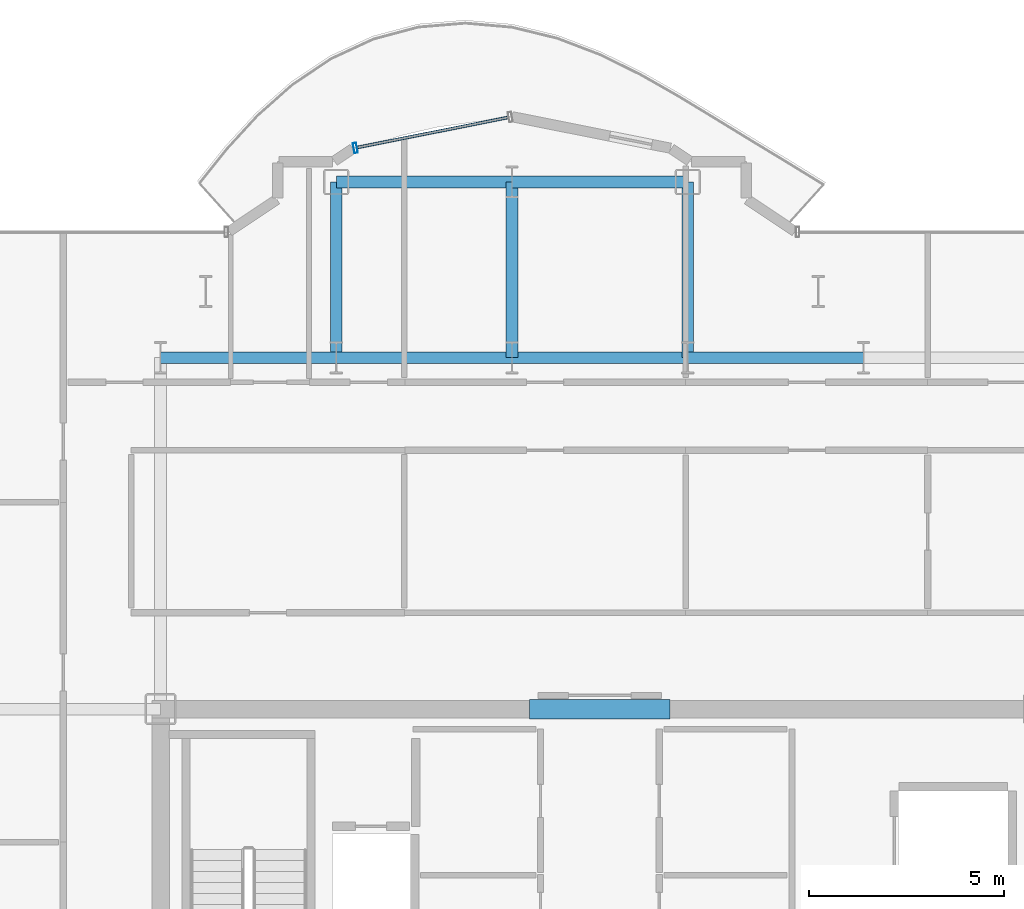
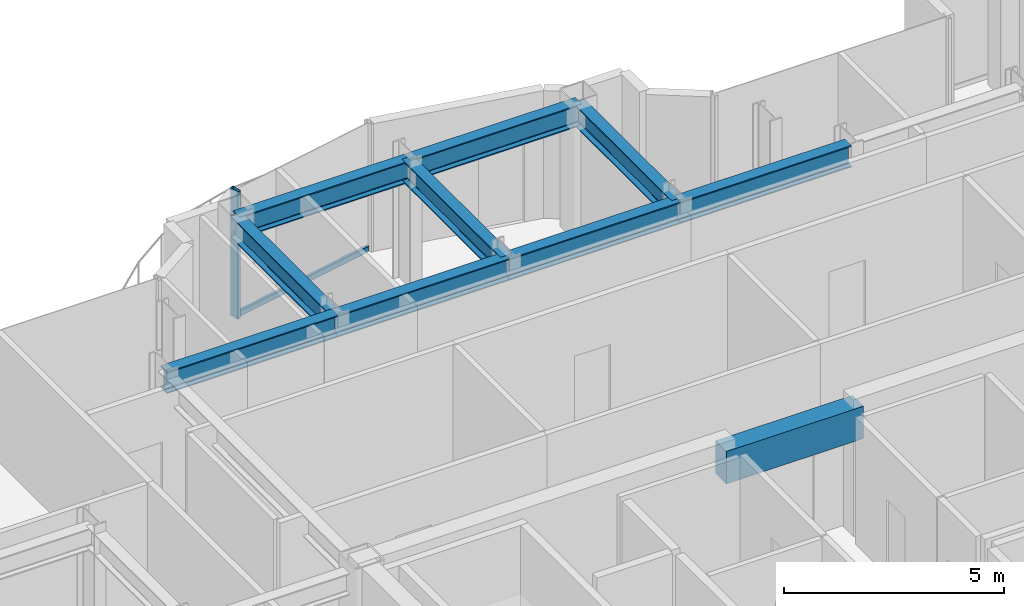
# One storey, part 9 of 21: 10 beams, 2 members, 1 element without a shape of its own.
"""IFC4 building model written with IfcOpenShell, lengths in metres."""

from ifc_helpers import new_model, si_unit, direction, frame, origin, origin_2d, place, context, subcontext, project, spatial, rectangle, hollow_rectangle, i_section, extrude, source, transform, mapped, material, layer, layer_set, material_profile, profile_set, type_object, element, aggregate, save


model = new_model("IFC4")

# Units and contexts
model_context = context("Model", 3, precision=1e-05, world=origin(), true_north=direction((0.0, 1.0)))
body_context = subcontext(model_context, "Body", "Model", "MODEL_VIEW")
ifc_project = project(units=[si_unit("LENGTHUNIT", "METRE"), si_unit("AREAUNIT", "SQUARE_METRE"), si_unit("VOLUMEUNIT", "CUBIC_METRE"), si_unit("PLANEANGLEUNIT", "RADIAN"), si_unit("MASSUNIT", "GRAM", prefix="KILO")], contexts=[model_context])

# Site, building, storey
site_placement = place(None, origin())
site = spatial("IfcSite", under=ifc_project, at=site_placement, CompositionType="ELEMENT")
building_placement = place(site_placement, origin())
building = spatial("IfcBuilding", under=site, at=building_placement, Name="Nefas-Gora Pilgrimage Tower", CompositionType="ELEMENT")
storey_placement = place(building_placement, frame((0.0, 0.0, 248.39990234375)))
storey = spatial("IfcBuildingStorey", under=building, at=storey_placement, Name="L62", CompositionType="ELEMENT", Elevation=248.39990234375)

# Beams
ifc_material_1 = material(Name="Concrete C50/60", Category="concrete")
ifc_material_profile_1 = material_profile(ifc_material_1, rectangle(XDim=0.5, YDim=0.89990234375, at=origin_2d()), Name="RC 500x900")
ifc_profile_set_1 = profile_set([ifc_material_profile_1], Name="Concrete C50/60")
beam_type_1 = type_object("IfcBeamType", Name="BM-LIN-RC900", PredefinedType="LINTEL", material=ifc_profile_set_1)
shared_shape_1 = source(origin(), body_context, "Body", "SweptSolid", [
    extrude(rectangle(XDim=0.5, YDim=0.89990234375, at=origin_2d()), origin(), (0.0, 0.0, 1.0), 3.60009765625),
])
beam_placement = place(storey_placement, frame((-1.800048828125, 9.0, 3.10009765625), z_axis=(1.0, 0.0, 0.0), x_axis=(0.0, 1.0, 0.0)))
element("IfcBeam", 1, at=beam_placement, inside=storey, type_object=beam_type_1, Name="L62 Core Coupling Lintel Beam N", PredefinedType="LINTEL", context=body_context, shape_type="MappedRepresentation", body=[
    mapped(shared_shape_1, transform((0.0, 0.0, 0.0), x_axis=(1.0, 0.0, 0.0), y_axis=(0.0, 1.0, 0.0), z_axis=(0.0, 0.0, 1.0), scale=1.0)),
])
ifc_material_2 = material(Name="Steel S355", Category="steel")
ifc_material_profile_2 = material_profile(ifc_material_2, i_section(OverallWidth=0.300048828125, OverallDepth=0.60009765625, WebThickness=0.015380859375, FlangeThickness=0.030029296875, FilletRadius=0.027099609375, at=origin_2d()), Name="HEB 600")
ifc_profile_set_2 = profile_set([ifc_material_profile_2], Name="Steel S355")
beam_type_2 = type_object("IfcBeamType", Name="BM-GIR-HEB600", PredefinedType="BEAM", material=ifc_profile_set_2)
shared_shape_2 = source(origin(), body_context, "Body", "SweptSolid", [
    extrude(i_section(OverallWidth=0.300048828125, OverallDepth=0.60009765625, WebThickness=0.015380859375, FlangeThickness=0.030029296875, FilletRadius=0.027099609375, at=origin_2d()), origin(), (0.0, 0.0, 1.0), 4.5),
])
for number, where, z_axis, x_axis, name in (
    (2, (-11.25, 18.0, 3.25), (1.0, 0.0, 0.0), (0.0, 1.0, 0.0), "L62 G-04 beam"),
    (3, (-6.75, 18.0, 3.25), (0.0, 1.0, 0.0), (-1.0, 0.0, 0.0), "L62 G-04 beam"),
    (4, (-6.75, 18.0, 3.25), (1.0, 0.0, 0.0), (0.0, 1.0, 0.0), "L62 G-04 beam"),
    (5, (-6.75, 22.5, 3.25), (1.0, 0.0, 0.0), (0.0, 1.0, 0.0), "L62 G-04 beam"),
    (6, (-2.25, 18.0, 3.25), (0.0, 1.0, 0.0), (-1.0, 0.0, 0.0), "L62 G-04 beam"),
    (7, (-2.25, 18.0, 3.25), (1.0, 0.0, 0.0), (0.0, 1.0, 0.0), "L62 G-04 beam"),
    (8, (-2.25, 22.5, 3.25), (1.0, 0.0, 0.0), (0.0, 1.0, 0.0), "L62 G-04 beam"),
    (9, (2.25, 18.0, 3.25), (0.0, 1.0, 0.0), (-1.0, 0.0, 0.0), "L62 G-04 beam"),
    (10, (2.25, 18.0, 3.25), (1.0, 0.0, 0.0), (0.0, 1.0, 0.0), "L62 G-04 beam"),
):
    element("IfcBeam", number, at=place(storey_placement, frame(where, z_axis=z_axis, x_axis=x_axis)), inside=storey, type_object=beam_type_2, Name=name, PredefinedType="BEAM", context=body_context, shape_type="MappedRepresentation", body=[
        mapped(shared_shape_2, transform((0.0, 0.0, 0.0), x_axis=(1.0, 0.0, 0.0), y_axis=(0.0, 1.0, 0.0), z_axis=(0.0, 0.0, 1.0), scale=1.0)),
    ])

# Curtain wall, members
ifc_material_3 = material(Name="Dark ceramic-fritted solar-control aluminium-glass curtain wall", Category="aluminium")
ifc_layer = layer(ifc_material_3, 0.219970703125)
ifc_layer_set = layer_set([ifc_layer], Name="Dark ceramic-fritted solar-control aluminium-glass curtain wall")
curtain_wall_type = type_object("IfcCurtainWallType", Name="CW-SYS-5", PredefinedType="NOTDEFINED", material=ifc_layer_set)
curtain_wall_placement = place(storey_placement, origin())
curtain_wall = element("IfcCurtainWall", 11, at=curtain_wall_placement, inside=storey, type_object=curtain_wall_type, Name="L62 Unitised Curtain Wall CW5", PredefinedType="NOTDEFINED")
ifc_material_4 = material(Name="Anodised architectural aluminium", Category="aluminium")
ifc_material_profile_3 = material_profile(ifc_material_4, hollow_rectangle(XDim=0.090087890625, YDim=0.260009765625, WallThickness=0.006103515625, InnerFilletRadius=0.006103515625, OuterFilletRadius=0.011962890625, at=origin_2d()), Name="ALU MULLION 90x260")
ifc_profile_set_3 = profile_set([ifc_material_profile_3], Name="Anodised architectural aluminium")
member_type_1 = type_object("IfcMemberType", Name="CWM-MUL-5", PredefinedType="MULLION", material=ifc_profile_set_3)
shared_shape_3 = source(origin(), body_context, "Body", "SweptSolid", [
    extrude(hollow_rectangle(XDim=0.090087890625, YDim=0.260009765625, WallThickness=0.006103515625, InnerFilletRadius=0.006103515625, OuterFilletRadius=0.011962890625, at=origin_2d()), origin(), (0.0, 0.0, 1.0), 3.550048828125),
])
member_1_placement = place(storey_placement, frame((-6.26318359375, 23.3740234375, 0.0), z_axis=(0.0, 0.0, 1.0), x_axis=(-0.980782896852, -0.195102304554, 0.0)))
member_1 = element("IfcMember", 12, at=member_1_placement, type_object=member_type_1, Name="CW5 Mullion 2", PredefinedType="MULLION", context=body_context, shape_type="MappedRepresentation", body=[
    mapped(shared_shape_3, transform((0.0, 0.0, 0.0), x_axis=(1.0, 0.0, 0.0), y_axis=(0.0, 1.0, 0.0), z_axis=(0.0, 0.0, 1.0), scale=1.0)),
])
ifc_material_profile_4 = material_profile(ifc_material_4, hollow_rectangle(XDim=0.080078125, YDim=0.159912109375, WallThickness=0.00439453125, InnerFilletRadius=0.00439453125, OuterFilletRadius=0.009033203125, at=origin_2d()), Name="ALU TRANSOM 80x160")
ifc_profile_set_4 = profile_set([ifc_material_profile_4], Name="Anodised architectural aluminium")
member_type_2 = type_object("IfcMemberType", Name="CWM-TRN-5", PredefinedType="USERDEFINED", material=ifc_profile_set_4)
shared_shape_4 = source(origin(), body_context, "Body", "SweptSolid", [
    extrude(hollow_rectangle(XDim=0.080078125, YDim=0.159912109375, WallThickness=0.00439453125, InnerFilletRadius=0.00439453125, OuterFilletRadius=0.009033203125, at=origin_2d()), origin(), (0.0, 0.0, 1.0), 3.95654296875),
])
member_2_placement = place(storey_placement, frame((-2.33837890625, 24.15478515625, 0.050048828125), z_axis=(-0.980781880918, -0.195107411605, 0.0), x_axis=(0.195107411605, -0.980781880918, 0.0)))
member_2 = element("IfcMember", 13, at=member_2_placement, type_object=member_type_2, Name="CW5 Spandrel Transom", ObjectType="TRANSOM", PredefinedType="USERDEFINED", context=body_context, shape_type="MappedRepresentation", body=[
    mapped(shared_shape_4, transform((0.0, 0.0, 0.0), x_axis=(1.0, 0.0, 0.0), y_axis=(0.0, 1.0, 0.0), z_axis=(0.0, 0.0, 1.0), scale=1.0)),
])
aggregate(curtain_wall, [member_1, member_2])

save(model, "model.ifc")
